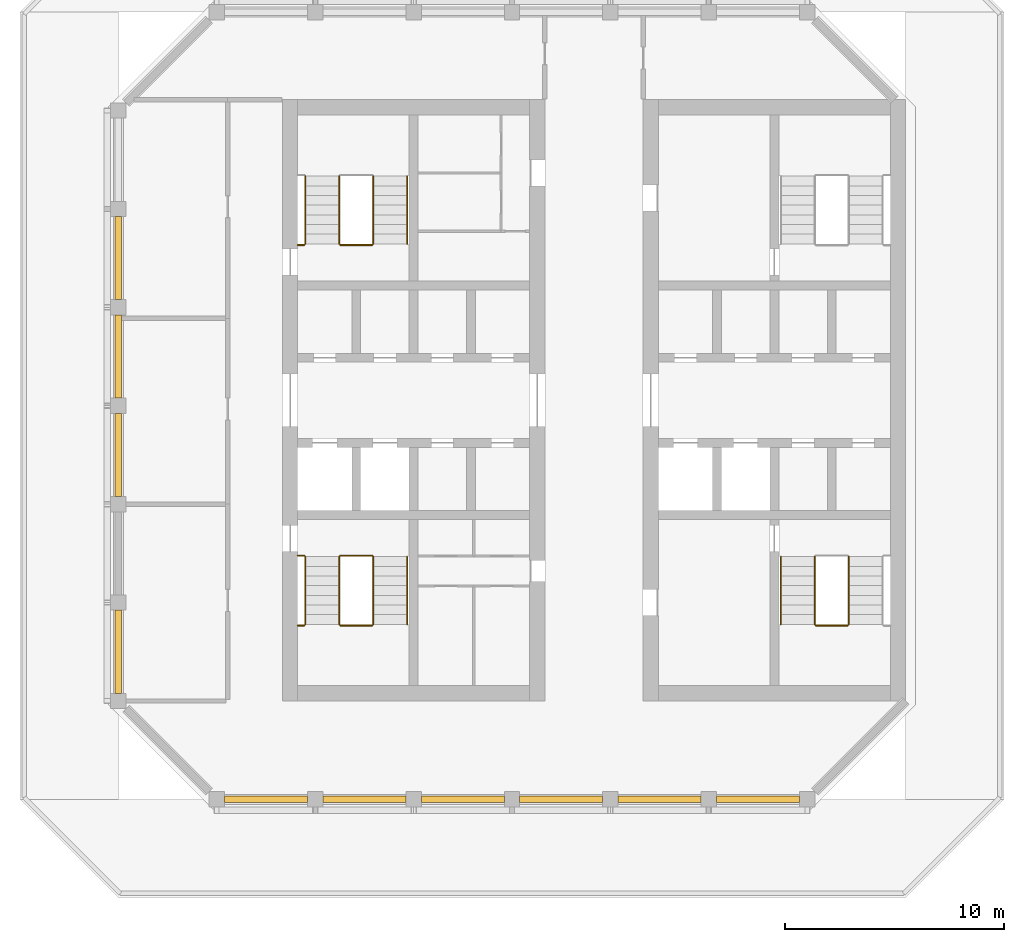
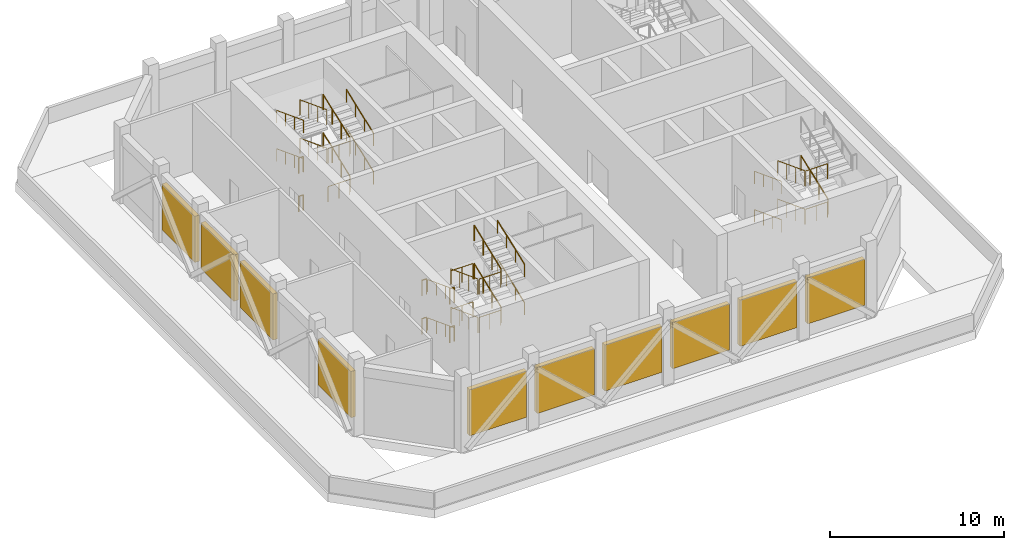
# One storey, part 7 of 8: 35 railings, 10 shading devices.
"""IFC4 building model written with IfcOpenShell, lengths in metres."""

from ifc_helpers import new_model, si_unit, direction, frame, origin, origin_2d, place, context, subcontext, project, spatial, rectangle, circle, extrude, material, layer, layer_set, type_object, element, save


model = new_model("IFC4")

# Units and contexts
model_context = context("Model", 3, precision=1e-05, world=origin(), true_north=direction((0.0, 1.0)))
body_context = subcontext(model_context, "Body", "Model", "MODEL_VIEW")
ifc_project = project(units=[si_unit("LENGTHUNIT", "METRE"), si_unit("AREAUNIT", "SQUARE_METRE"), si_unit("VOLUMEUNIT", "CUBIC_METRE"), si_unit("PLANEANGLEUNIT", "RADIAN"), si_unit("MASSUNIT", "GRAM", prefix="KILO")], contexts=[model_context])

# Site, building, storey
site_placement = place(None, origin())
site = spatial("IfcSite", under=ifc_project, at=site_placement, CompositionType="ELEMENT")
building_placement = place(site_placement, origin())
building = spatial("IfcBuilding", under=site, at=building_placement, Name="Corbel Stack Research Tower", CompositionType="ELEMENT")
storey_placement = place(building_placement, frame((0.0, 0.0, 301.0)))
storey = spatial("IfcBuildingStorey", under=building, at=storey_placement, Name="L68", CompositionType="ELEMENT", Elevation=301.0)

# Shading devices
ifc_material_1 = material(Name="Aluminium louvre", Category="aluminium")
ifc_layer = layer(ifc_material_1, 0.300048828125)
ifc_layer_set = layer_set([ifc_layer], Name="Aluminium louvre")
shading_device_type = type_object("IfcShadingDeviceType", Name="Plant louvre 300", PredefinedType="USERDEFINED", material=ifc_layer_set)
for number, where, z_axis, x_axis, name in (
    (1, (-11.25, -13.5, 0.85009765625), (0.0, 0.0, 1.0), (1.0, 0.0, 0.0), "Plant louvre L68-01"),
    (2, (-6.75, -13.5, 0.85009765625), (0.0, 0.0, 1.0), (1.0, 0.0, 0.0), "Plant louvre L68-02"),
    (3, (-2.25, -13.5, 0.85009765625), (0.0, 0.0, 1.0), (1.0, 0.0, 0.0), "Plant louvre L68-03"),
    (4, (2.25, -13.5, 0.85009765625), (0.0, 0.0, 1.0), (1.0, 0.0, 0.0), "Plant louvre L68-04"),
    (5, (6.75, -13.5, 0.85009765625), (0.0, 0.0, 1.0), (1.0, 0.0, 0.0), "Plant louvre L68-05"),
    (6, (11.25, -13.5, 0.85009765625), (0.0, 0.0, 1.0), (1.0, 0.0, 0.0), "Plant louvre L68-06"),
    (7, (-18.0, 11.25, 0.85009765625), (0.0, 0.0, 1.0), (0.0, -1.0, 0.0), "Plant louvre L68-17"),
    (8, (-18.0, 6.75, 0.85009765625), (0.0, 0.0, 1.0), (0.0, -1.0, 0.0), "Plant louvre L68-18"),
    (9, (-18.0, 2.25, 0.85009765625), (0.0, 0.0, 1.0), (0.0, -1.0, 0.0), "Plant louvre L68-19"),
    (10, (-18.0, -6.75, 0.85009765625), (0.0, 0.0, 1.0), (0.0, -1.0, 0.0), "Plant louvre L68-21"),
):
    element("IfcShadingDevice", number, at=place(storey_placement, frame(where, z_axis=z_axis, x_axis=x_axis)), inside=storey, type_object=shading_device_type, Name=name, ObjectType="LOUVRE", PredefinedType="USERDEFINED", context=body_context, shape_type="SweptSolid", body=[
        extrude(rectangle(XDim=3.800048828125, YDim=0.300048828125, at=origin_2d()), origin(), (0.0, 0.0, 1.0), 3.25),
    ])

# Railings
ifc_material_2 = material(Name="Steel S355", Category="steel")
railing_type_1 = type_object("IfcRailingType", Name="Stair guard 1100", PredefinedType="GUARDRAIL", material=ifc_material_2)
railing_1_placement = place(storey_placement, frame((-7.89990234375, -2.39990234375, 0.168701171875)))
element("IfcRailing", 11, at=railing_1_placement, inside=storey, type_object=railing_type_1, Name="L68 ST-W1 stair guard 1", PredefinedType="GUARDRAIL", context=body_context, shape_type="SweptSolid", body=[
    extrude(circle(Radius=0.02392578125, at=origin_2d()), frame((0.0, 0.0, 1.076171875), z_axis=(0.0, -0.934484238495, 0.356004505596), x_axis=(1.0, 0.0, 0.0)), (0.0, 0.0, 1.0), 3.318603515625),
    extrude(circle(Radius=0.02099609375, at=origin_2d()), origin(), (0.0, 0.0, 1.0), 1.052001953125),
    extrude(circle(Radius=0.02099609375, at=origin_2d()), frame((0.0, -1.03369140625, 0.393798828125)), (0.0, 0.0, 1.0), 1.052001953125),
    extrude(circle(Radius=0.02099609375, at=origin_2d()), frame((0.0, -2.0673828125, 0.78759765625)), (0.0, 0.0, 1.0), 1.052001953125),
    extrude(circle(Radius=0.02099609375, at=origin_2d()), frame((0.0, -3.10107421875, 1.181396484375)), (0.0, 0.0, 1.0), 1.052001953125),
])
railing_2_placement = place(storey_placement, frame((-7.85009765625, -5.551025390625, 1.35009765625)))
element("IfcRailing", 12, at=railing_2_placement, inside=storey, type_object=railing_type_1, Name="L68 ST-W1 stair guard 2", PredefinedType="GUARDRAIL", context=body_context, shape_type="SweptSolid", body=[
    extrude(circle(Radius=0.02392578125, at=origin_2d()), frame((0.0, 0.0, 1.076171875), z_axis=(1.0, 0.0, 0.0), x_axis=(0.0, 1.0, 0.0)), (0.0, 0.0, 1.0), 1.4501953125),
    extrude(circle(Radius=0.02099609375, at=origin_2d()), origin(), (0.0, 0.0, 1.0), 1.052001953125),
    extrude(circle(Radius=0.02099609375, at=origin_2d()), frame((0.72509765625, 0.0, 0.0)), (0.0, 0.0, 1.0), 1.052001953125),
    extrude(circle(Radius=0.02099609375, at=origin_2d()), frame((1.4501953125, 0.0, 0.0)), (0.0, 0.0, 1.0), 1.052001953125),
])
railing_3_placement = place(storey_placement, frame((-9.800048828125, -5.551025390625, 1.35009765625)))
element("IfcRailing", 13, at=railing_3_placement, inside=storey, type_object=railing_type_1, Name="L68 ST-W1 stair guard 3", PredefinedType="GUARDRAIL", context=body_context, shape_type="SweptSolid", body=[
    extrude(circle(Radius=0.02392578125, at=origin_2d()), frame((0.0, 0.0, 1.076171875), z_axis=(1.0, 0.0, 0.0), x_axis=(0.0, 1.0, 0.0)), (0.0, 0.0, 1.0), 0.300048828125),
    extrude(circle(Radius=0.02099609375, at=origin_2d()), origin(), (0.0, 0.0, 1.0), 1.052001953125),
    extrude(circle(Radius=0.02099609375, at=origin_2d()), frame((0.300048828125, 0.0, 0.0)), (0.0, 0.0, 1.0), 1.052001953125),
])
railing_4_placement = place(storey_placement, frame((-6.35009765625, -5.5009765625, 1.518798828125)))
element("IfcRailing", 14, at=railing_4_placement, inside=storey, type_object=railing_type_1, Name="L68 ST-W1 stair guard 4", PredefinedType="GUARDRAIL", context=body_context, shape_type="SweptSolid", body=[
    extrude(circle(Radius=0.02392578125, at=origin_2d()), frame((0.0, 0.0, 1.076171875), z_axis=(0.0, 0.934508712189, 0.355940257406), x_axis=(-1.0, 0.0, 0.0)), (0.0, 0.0, 1.0), 3.318359375),
    extrude(circle(Radius=0.02099609375, at=origin_2d()), origin(), (0.0, 0.0, 1.0), 1.052001953125),
    extrude(circle(Radius=0.02099609375, at=origin_2d()), frame((0.0, 1.03369140625, 0.393798828125)), (0.0, 0.0, 1.0), 1.052001953125),
    extrude(circle(Radius=0.02099609375, at=origin_2d()), frame((0.0, 2.0673828125, 0.787353515625)), (0.0, 0.0, 1.0), 1.052001953125),
    extrude(circle(Radius=0.02099609375, at=origin_2d()), frame((0.0, 3.10107421875, 1.18115234375)), (0.0, 0.0, 1.0), 1.052001953125),
])
railing_5_placement = place(storey_placement, frame((-7.85009765625, -2.35009765625, 2.699951171875)))
element("IfcRailing", 15, at=railing_5_placement, inside=storey, type_object=railing_type_1, Name="L68 ST-W1 stair guard 5", PredefinedType="GUARDRAIL", context=body_context, shape_type="SweptSolid", body=[
    extrude(circle(Radius=0.02392578125, at=origin_2d()), frame((0.0, 0.0, 1.076171875), z_axis=(1.0, 0.0, 0.0), x_axis=(0.0, 1.0, 0.0)), (0.0, 0.0, 1.0), 1.4501953125),
    extrude(circle(Radius=0.02099609375, at=origin_2d()), origin(), (0.0, 0.0, 1.0), 1.052001953125),
    extrude(circle(Radius=0.02099609375, at=origin_2d()), frame((0.72509765625, 0.0, 0.0)), (0.0, 0.0, 1.0), 1.052001953125),
    extrude(circle(Radius=0.02099609375, at=origin_2d()), frame((1.4501953125, 0.0, 0.0)), (0.0, 0.0, 1.0), 1.052001953125),
])
railing_6_placement = place(storey_placement, frame((-9.800048828125, -2.35009765625, 2.699951171875)))
element("IfcRailing", 16, at=railing_6_placement, inside=storey, type_object=railing_type_1, Name="L68 ST-W1 stair guard 6", PredefinedType="GUARDRAIL", context=body_context, shape_type="SweptSolid", body=[
    extrude(circle(Radius=0.02392578125, at=origin_2d()), frame((0.0, 0.0, 1.076171875), z_axis=(1.0, 0.0, 0.0), x_axis=(0.0, 1.0, 0.0)), (0.0, 0.0, 1.0), 0.300048828125),
    extrude(circle(Radius=0.02099609375, at=origin_2d()), origin(), (0.0, 0.0, 1.0), 1.052001953125),
    extrude(circle(Radius=0.02099609375, at=origin_2d()), frame((0.300048828125, 0.0, 0.0)), (0.0, 0.0, 1.0), 1.052001953125),
])
railing_7_placement = place(storey_placement, frame((-7.89990234375, -2.39990234375, 2.86865234375)))
element("IfcRailing", 17, at=railing_7_placement, inside=storey, type_object=railing_type_1, Name="L68 ST-W1 stair guard 7", PredefinedType="GUARDRAIL", context=body_context, shape_type="SweptSolid", body=[
    extrude(circle(Radius=0.02392578125, at=origin_2d()), frame((0.0, 0.0, 1.076171875), z_axis=(0.0, -0.934484238495, 0.356004505596), x_axis=(1.0, 0.0, 0.0)), (0.0, 0.0, 1.0), 3.318603515625),
    extrude(circle(Radius=0.02099609375, at=origin_2d()), origin(), (0.0, 0.0, 1.0), 1.052001953125),
    extrude(circle(Radius=0.02099609375, at=origin_2d()), frame((0.0, -1.03369140625, 0.393798828125)), (0.0, 0.0, 1.0), 1.052001953125),
    extrude(circle(Radius=0.02099609375, at=origin_2d()), frame((0.0, -2.0673828125, 0.78759765625)), (0.0, 0.0, 1.0), 1.052001953125),
    extrude(circle(Radius=0.02099609375, at=origin_2d()), frame((0.0, -3.10107421875, 1.181396484375)), (0.0, 0.0, 1.0), 1.052001953125),
])
railing_8_placement = place(storey_placement, frame((-7.85009765625, -5.551025390625, 4.050048828125)))
element("IfcRailing", 18, at=railing_8_placement, inside=storey, type_object=railing_type_1, Name="L68 ST-W1 stair guard 8", PredefinedType="GUARDRAIL", context=body_context, shape_type="SweptSolid", body=[
    extrude(circle(Radius=0.02392578125, at=origin_2d()), frame((0.0, 0.0, 1.076171875), z_axis=(1.0, 0.0, 0.0), x_axis=(0.0, 1.0, 0.0)), (0.0, 0.0, 1.0), 1.4501953125),
    extrude(circle(Radius=0.02099609375, at=origin_2d()), origin(), (0.0, 0.0, 1.0), 1.052001953125),
    extrude(circle(Radius=0.02099609375, at=origin_2d()), frame((0.72509765625, 0.0, 0.0)), (0.0, 0.0, 1.0), 1.052001953125),
    extrude(circle(Radius=0.02099609375, at=origin_2d()), frame((1.4501953125, 0.0, 0.0)), (0.0, 0.0, 1.0), 1.052001953125),
])
railing_9_placement = place(storey_placement, frame((-9.800048828125, -5.551025390625, 4.050048828125)))
element("IfcRailing", 19, at=railing_9_placement, inside=storey, type_object=railing_type_1, Name="L68 ST-W1 stair guard 9", PredefinedType="GUARDRAIL", context=body_context, shape_type="SweptSolid", body=[
    extrude(circle(Radius=0.02392578125, at=origin_2d()), frame((0.0, 0.0, 1.076171875), z_axis=(1.0, 0.0, 0.0), x_axis=(0.0, 1.0, 0.0)), (0.0, 0.0, 1.0), 0.300048828125),
    extrude(circle(Radius=0.02099609375, at=origin_2d()), origin(), (0.0, 0.0, 1.0), 1.052001953125),
    extrude(circle(Radius=0.02099609375, at=origin_2d()), frame((0.300048828125, 0.0, 0.0)), (0.0, 0.0, 1.0), 1.052001953125),
])
railing_10_placement = place(storey_placement, frame((-6.35009765625, -5.5009765625, 4.21875)))
element("IfcRailing", 20, at=railing_10_placement, inside=storey, type_object=railing_type_1, Name="L68 ST-W1 stair guard 10", PredefinedType="GUARDRAIL", context=body_context, shape_type="SweptSolid", body=[
    extrude(circle(Radius=0.02392578125, at=origin_2d()), frame((0.0, 0.0, 1.076171875), z_axis=(0.0, 0.934508712189, 0.355940257406), x_axis=(-1.0, 0.0, 0.0)), (0.0, 0.0, 1.0), 3.318359375),
    extrude(circle(Radius=0.02099609375, at=origin_2d()), origin(), (0.0, 0.0, 1.0), 1.052001953125),
    extrude(circle(Radius=0.02099609375, at=origin_2d()), frame((0.0, 1.03369140625, 0.393798828125)), (0.0, 0.0, 1.0), 1.052001953125),
    extrude(circle(Radius=0.02099609375, at=origin_2d()), frame((0.0, 2.0673828125, 0.787353515625)), (0.0, 0.0, 1.0), 1.052001953125),
    extrude(circle(Radius=0.02099609375, at=origin_2d()), frame((0.0, 3.10107421875, 1.18115234375)), (0.0, 0.0, 1.0), 1.052001953125),
])
railing_11_placement = place(storey_placement, frame((-7.85009765625, -2.35009765625, 0.0)))
element("IfcRailing", 21, at=railing_11_placement, inside=storey, type_object=railing_type_1, Name="L68 ST-W1 stair guard 11", PredefinedType="GUARDRAIL", context=body_context, shape_type="SweptSolid", body=[
    extrude(circle(Radius=0.02392578125, at=origin_2d()), frame((0.0, 0.0, 1.076171875), z_axis=(1.0, 0.0, 0.0), x_axis=(0.0, 1.0, 0.0)), (0.0, 0.0, 1.0), 1.4501953125),
    extrude(circle(Radius=0.02099609375, at=origin_2d()), origin(), (0.0, 0.0, 1.0), 1.052001953125),
    extrude(circle(Radius=0.02099609375, at=origin_2d()), frame((0.72509765625, 0.0, 0.0)), (0.0, 0.0, 1.0), 1.052001953125),
    extrude(circle(Radius=0.02099609375, at=origin_2d()), frame((1.4501953125, 0.0, 0.0)), (0.0, 0.0, 1.0), 1.052001953125),
])
railing_12_placement = place(storey_placement, frame((-9.800048828125, -2.35009765625, 0.0)))
element("IfcRailing", 22, at=railing_12_placement, inside=storey, type_object=railing_type_1, Name="L68 ST-W1 stair guard 12", PredefinedType="GUARDRAIL", context=body_context, shape_type="SweptSolid", body=[
    extrude(circle(Radius=0.02392578125, at=origin_2d()), frame((0.0, 0.0, 1.076171875), z_axis=(1.0, 0.0, 0.0), x_axis=(0.0, 1.0, 0.0)), (0.0, 0.0, 1.0), 0.300048828125),
    extrude(circle(Radius=0.02099609375, at=origin_2d()), origin(), (0.0, 0.0, 1.0), 1.052001953125),
    extrude(circle(Radius=0.02099609375, at=origin_2d()), frame((0.300048828125, 0.0, 0.0)), (0.0, 0.0, 1.0), 1.052001953125),
])
railing_13_placement = place(storey_placement, frame((-6.35009765625, 11.89990234375, 0.168701171875)))
element("IfcRailing", 23, at=railing_13_placement, inside=storey, type_object=railing_type_1, Name="L68 ST-W2 stair guard 1", PredefinedType="GUARDRAIL", context=body_context, shape_type="SweptSolid", body=[
    extrude(circle(Radius=0.02392578125, at=origin_2d()), frame((0.0, 0.0, 1.076171875), z_axis=(0.0, 0.934484238495, 0.356004505596), x_axis=(-1.0, 0.0, 0.0)), (0.0, 0.0, 1.0), 3.318603515625),
    extrude(circle(Radius=0.02099609375, at=origin_2d()), origin(), (0.0, 0.0, 1.0), 1.052001953125),
    extrude(circle(Radius=0.02099609375, at=origin_2d()), frame((0.0, 1.03369140625, 0.393798828125)), (0.0, 0.0, 1.0), 1.052001953125),
    extrude(circle(Radius=0.02099609375, at=origin_2d()), frame((0.0, 2.0673828125, 0.78759765625)), (0.0, 0.0, 1.0), 1.052001953125),
    extrude(circle(Radius=0.02099609375, at=origin_2d()), frame((0.0, 3.10107421875, 1.181396484375)), (0.0, 0.0, 1.0), 1.052001953125),
])
railing_14_placement = place(storey_placement, frame((-7.89990234375, 15.0009765625, 1.518798828125)))
element("IfcRailing", 24, at=railing_14_placement, inside=storey, type_object=railing_type_1, Name="L68 ST-W2 stair guard 4", PredefinedType="GUARDRAIL", context=body_context, shape_type="SweptSolid", body=[
    extrude(circle(Radius=0.02392578125, at=origin_2d()), frame((0.0, 0.0, 1.076171875), z_axis=(0.0, -0.934508712189, 0.355940257406), x_axis=(1.0, 0.0, 0.0)), (0.0, 0.0, 1.0), 3.318359375),
    extrude(circle(Radius=0.02099609375, at=origin_2d()), origin(), (0.0, 0.0, 1.0), 1.052001953125),
    extrude(circle(Radius=0.02099609375, at=origin_2d()), frame((0.0, -1.03369140625, 0.393798828125)), (0.0, 0.0, 1.0), 1.052001953125),
    extrude(circle(Radius=0.02099609375, at=origin_2d()), frame((0.0, -2.0673828125, 0.787353515625)), (0.0, 0.0, 1.0), 1.052001953125),
    extrude(circle(Radius=0.02099609375, at=origin_2d()), frame((0.0, -3.10107421875, 1.18115234375)), (0.0, 0.0, 1.0), 1.052001953125),
])
railing_15_placement = place(storey_placement, frame((-6.39990234375, 11.85009765625, 2.699951171875)))
element("IfcRailing", 25, at=railing_15_placement, inside=storey, type_object=railing_type_1, Name="L68 ST-W2 stair guard 5", PredefinedType="GUARDRAIL", context=body_context, shape_type="SweptSolid", body=[
    extrude(circle(Radius=0.02392578125, at=origin_2d()), frame((0.0, 0.0, 1.076171875), z_axis=(-1.0, 0.0, 0.0), x_axis=(0.0, -1.0, 0.0)), (0.0, 0.0, 1.0), 1.4501953125),
    extrude(circle(Radius=0.02099609375, at=origin_2d()), origin(), (0.0, 0.0, 1.0), 1.052001953125),
    extrude(circle(Radius=0.02099609375, at=origin_2d()), frame((-0.72509765625, 0.0, 0.0)), (0.0, 0.0, 1.0), 1.052001953125),
    extrude(circle(Radius=0.02099609375, at=origin_2d()), frame((-1.4501953125, 0.0, 0.0)), (0.0, 0.0, 1.0), 1.052001953125),
])
railing_16_placement = place(storey_placement, frame((-9.5, 11.85009765625, 2.699951171875)))
element("IfcRailing", 26, at=railing_16_placement, inside=storey, type_object=railing_type_1, Name="L68 ST-W2 stair guard 6", PredefinedType="GUARDRAIL", context=body_context, shape_type="SweptSolid", body=[
    extrude(circle(Radius=0.02392578125, at=origin_2d()), frame((0.0, 0.0, 1.076171875), z_axis=(-1.0, 0.0, 0.0), x_axis=(0.0, -1.0, 0.0)), (0.0, 0.0, 1.0), 0.300048828125),
    extrude(circle(Radius=0.02099609375, at=origin_2d()), origin(), (0.0, 0.0, 1.0), 1.052001953125),
    extrude(circle(Radius=0.02099609375, at=origin_2d()), frame((-0.300048828125, 0.0, 0.0)), (0.0, 0.0, 1.0), 1.052001953125),
])
railing_17_placement = place(storey_placement, frame((-6.35009765625, 11.89990234375, 2.86865234375)))
element("IfcRailing", 27, at=railing_17_placement, inside=storey, type_object=railing_type_1, Name="L68 ST-W2 stair guard 7", PredefinedType="GUARDRAIL", context=body_context, shape_type="SweptSolid", body=[
    extrude(circle(Radius=0.02392578125, at=origin_2d()), frame((0.0, 0.0, 1.076171875), z_axis=(0.0, 0.934484238495, 0.356004505596), x_axis=(-1.0, 0.0, 0.0)), (0.0, 0.0, 1.0), 3.318603515625),
    extrude(circle(Radius=0.02099609375, at=origin_2d()), origin(), (0.0, 0.0, 1.0), 1.052001953125),
    extrude(circle(Radius=0.02099609375, at=origin_2d()), frame((0.0, 1.03369140625, 0.393798828125)), (0.0, 0.0, 1.0), 1.052001953125),
    extrude(circle(Radius=0.02099609375, at=origin_2d()), frame((0.0, 2.0673828125, 0.78759765625)), (0.0, 0.0, 1.0), 1.052001953125),
    extrude(circle(Radius=0.02099609375, at=origin_2d()), frame((0.0, 3.10107421875, 1.181396484375)), (0.0, 0.0, 1.0), 1.052001953125),
])
railing_18_placement = place(storey_placement, frame((-7.89990234375, 15.0009765625, 4.21875)))
element("IfcRailing", 28, at=railing_18_placement, inside=storey, type_object=railing_type_1, Name="L68 ST-W2 stair guard 10", PredefinedType="GUARDRAIL", context=body_context, shape_type="SweptSolid", body=[
    extrude(circle(Radius=0.02392578125, at=origin_2d()), frame((0.0, 0.0, 1.076171875), z_axis=(0.0, -0.934508712189, 0.355940257406), x_axis=(1.0, 0.0, 0.0)), (0.0, 0.0, 1.0), 3.318359375),
    extrude(circle(Radius=0.02099609375, at=origin_2d()), origin(), (0.0, 0.0, 1.0), 1.052001953125),
    extrude(circle(Radius=0.02099609375, at=origin_2d()), frame((0.0, -1.03369140625, 0.393798828125)), (0.0, 0.0, 1.0), 1.052001953125),
    extrude(circle(Radius=0.02099609375, at=origin_2d()), frame((0.0, -2.0673828125, 0.787353515625)), (0.0, 0.0, 1.0), 1.052001953125),
    extrude(circle(Radius=0.02099609375, at=origin_2d()), frame((0.0, -3.10107421875, 1.18115234375)), (0.0, 0.0, 1.0), 1.052001953125),
])
railing_19_placement = place(storey_placement, frame((-6.39990234375, 11.85009765625, 0.0)))
element("IfcRailing", 29, at=railing_19_placement, inside=storey, type_object=railing_type_1, Name="L68 ST-W2 stair guard 11", PredefinedType="GUARDRAIL", context=body_context, shape_type="SweptSolid", body=[
    extrude(circle(Radius=0.02392578125, at=origin_2d()), frame((0.0, 0.0, 1.076171875), z_axis=(-1.0, 0.0, 0.0), x_axis=(0.0, -1.0, 0.0)), (0.0, 0.0, 1.0), 1.4501953125),
    extrude(circle(Radius=0.02099609375, at=origin_2d()), origin(), (0.0, 0.0, 1.0), 1.052001953125),
    extrude(circle(Radius=0.02099609375, at=origin_2d()), frame((-0.72509765625, 0.0, 0.0)), (0.0, 0.0, 1.0), 1.052001953125),
    extrude(circle(Radius=0.02099609375, at=origin_2d()), frame((-1.4501953125, 0.0, 0.0)), (0.0, 0.0, 1.0), 1.052001953125),
])
railing_20_placement = place(storey_placement, frame((-9.5, 11.85009765625, 0.0)))
element("IfcRailing", 30, at=railing_20_placement, inside=storey, type_object=railing_type_1, Name="L68 ST-W2 stair guard 12", PredefinedType="GUARDRAIL", context=body_context, shape_type="SweptSolid", body=[
    extrude(circle(Radius=0.02392578125, at=origin_2d()), frame((0.0, 0.0, 1.076171875), z_axis=(-1.0, 0.0, 0.0), x_axis=(0.0, -1.0, 0.0)), (0.0, 0.0, 1.0), 0.300048828125),
    extrude(circle(Radius=0.02099609375, at=origin_2d()), origin(), (0.0, 0.0, 1.0), 1.052001953125),
    extrude(circle(Radius=0.02099609375, at=origin_2d()), frame((-0.300048828125, 0.0, 0.0)), (0.0, 0.0, 1.0), 1.052001953125),
])
railing_21_placement = place(storey_placement, frame((13.85009765625, -2.39990234375, 0.168701171875)))
element("IfcRailing", 31, at=railing_21_placement, inside=storey, type_object=railing_type_1, Name="L68 ST-E1 stair guard 1", PredefinedType="GUARDRAIL", context=body_context, shape_type="SweptSolid", body=[
    extrude(circle(Radius=0.02392578125, at=origin_2d()), frame((0.0, 0.0, 1.076171875), z_axis=(0.0, -0.934484238495, 0.356004505596), x_axis=(1.0, 0.0, 0.0)), (0.0, 0.0, 1.0), 3.318603515625),
    extrude(circle(Radius=0.02099609375, at=origin_2d()), origin(), (0.0, 0.0, 1.0), 1.052001953125),
    extrude(circle(Radius=0.02099609375, at=origin_2d()), frame((0.0, -1.03369140625, 0.393798828125)), (0.0, 0.0, 1.0), 1.052001953125),
    extrude(circle(Radius=0.02099609375, at=origin_2d()), frame((0.0, -2.0673828125, 0.78759765625)), (0.0, 0.0, 1.0), 1.052001953125),
    extrude(circle(Radius=0.02099609375, at=origin_2d()), frame((0.0, -3.10107421875, 1.181396484375)), (0.0, 0.0, 1.0), 1.052001953125),
])
railing_22_placement = place(storey_placement, frame((13.89990234375, -5.551025390625, 1.35009765625)))
element("IfcRailing", 32, at=railing_22_placement, inside=storey, type_object=railing_type_1, Name="L68 ST-E1 stair guard 2", PredefinedType="GUARDRAIL", context=body_context, shape_type="SweptSolid", body=[
    extrude(circle(Radius=0.02392578125, at=origin_2d()), frame((0.0, 0.0, 1.076171875), z_axis=(1.0, 0.0, 0.0), x_axis=(0.0, 1.0, 0.0)), (0.0, 0.0, 1.0), 1.4501953125),
    extrude(circle(Radius=0.02099609375, at=origin_2d()), origin(), (0.0, 0.0, 1.0), 1.052001953125),
    extrude(circle(Radius=0.02099609375, at=origin_2d()), frame((0.72509765625, 0.0, 0.0)), (0.0, 0.0, 1.0), 1.052001953125),
    extrude(circle(Radius=0.02099609375, at=origin_2d()), frame((1.4501953125, 0.0, 0.0)), (0.0, 0.0, 1.0), 1.052001953125),
])
railing_23_placement = place(storey_placement, frame((15.39990234375, -5.5009765625, 1.518798828125)))
element("IfcRailing", 33, at=railing_23_placement, inside=storey, type_object=railing_type_1, Name="L68 ST-E1 stair guard 4", PredefinedType="GUARDRAIL", context=body_context, shape_type="SweptSolid", body=[
    extrude(circle(Radius=0.02392578125, at=origin_2d()), frame((0.0, 0.0, 1.076171875), z_axis=(0.0, 0.934508712189, 0.355940257406), x_axis=(-1.0, 0.0, 0.0)), (0.0, 0.0, 1.0), 3.318359375),
    extrude(circle(Radius=0.02099609375, at=origin_2d()), origin(), (0.0, 0.0, 1.0), 1.052001953125),
    extrude(circle(Radius=0.02099609375, at=origin_2d()), frame((0.0, 1.03369140625, 0.393798828125)), (0.0, 0.0, 1.0), 1.052001953125),
    extrude(circle(Radius=0.02099609375, at=origin_2d()), frame((0.0, 2.0673828125, 0.787353515625)), (0.0, 0.0, 1.0), 1.052001953125),
    extrude(circle(Radius=0.02099609375, at=origin_2d()), frame((0.0, 3.10107421875, 1.18115234375)), (0.0, 0.0, 1.0), 1.052001953125),
])
railing_24_placement = place(storey_placement, frame((13.85009765625, -2.39990234375, 2.86865234375)))
element("IfcRailing", 34, at=railing_24_placement, inside=storey, type_object=railing_type_1, Name="L68 ST-E1 stair guard 7", PredefinedType="GUARDRAIL", context=body_context, shape_type="SweptSolid", body=[
    extrude(circle(Radius=0.02392578125, at=origin_2d()), frame((0.0, 0.0, 1.076171875), z_axis=(0.0, -0.934484238495, 0.356004505596), x_axis=(1.0, 0.0, 0.0)), (0.0, 0.0, 1.0), 3.318603515625),
    extrude(circle(Radius=0.02099609375, at=origin_2d()), origin(), (0.0, 0.0, 1.0), 1.052001953125),
    extrude(circle(Radius=0.02099609375, at=origin_2d()), frame((0.0, -1.03369140625, 0.393798828125)), (0.0, 0.0, 1.0), 1.052001953125),
    extrude(circle(Radius=0.02099609375, at=origin_2d()), frame((0.0, -2.0673828125, 0.78759765625)), (0.0, 0.0, 1.0), 1.052001953125),
    extrude(circle(Radius=0.02099609375, at=origin_2d()), frame((0.0, -3.10107421875, 1.181396484375)), (0.0, 0.0, 1.0), 1.052001953125),
])
railing_25_placement = place(storey_placement, frame((13.89990234375, -5.551025390625, 4.050048828125)))
element("IfcRailing", 35, at=railing_25_placement, inside=storey, type_object=railing_type_1, Name="L68 ST-E1 stair guard 8", PredefinedType="GUARDRAIL", context=body_context, shape_type="SweptSolid", body=[
    extrude(circle(Radius=0.02392578125, at=origin_2d()), frame((0.0, 0.0, 1.076171875), z_axis=(1.0, 0.0, 0.0), x_axis=(0.0, 1.0, 0.0)), (0.0, 0.0, 1.0), 1.4501953125),
    extrude(circle(Radius=0.02099609375, at=origin_2d()), origin(), (0.0, 0.0, 1.0), 1.052001953125),
    extrude(circle(Radius=0.02099609375, at=origin_2d()), frame((0.72509765625, 0.0, 0.0)), (0.0, 0.0, 1.0), 1.052001953125),
    extrude(circle(Radius=0.02099609375, at=origin_2d()), frame((1.4501953125, 0.0, 0.0)), (0.0, 0.0, 1.0), 1.052001953125),
])
ifc_material_3 = material(Name="Steel S355", Category="steel")
railing_type_2 = type_object("IfcRailingType", Name="Stair handrail 900", PredefinedType="HANDRAIL", material=ifc_material_3)
railing_26_placement = place(storey_placement, frame((-9.449951171875, -2.39990234375, 0.168701171875)))
element("IfcRailing", 36, at=railing_26_placement, inside=storey, type_object=railing_type_2, Name="L68 ST-W1 stair handrail 1", PredefinedType="HANDRAIL", context=body_context, shape_type="SweptSolid", body=[
    extrude(circle(Radius=0.02392578125, at=origin_2d()), frame((0.0, 0.0, 0.8759765625), z_axis=(0.0, -0.934484238495, 0.356004505596), x_axis=(1.0, 0.0, 0.0)), (0.0, 0.0, 1.0), 3.318603515625),
    extrude(circle(Radius=0.02099609375, at=origin_2d()), origin(), (0.0, 0.0, 1.0), 0.851806640625),
    extrude(circle(Radius=0.02099609375, at=origin_2d()), frame((0.0, -1.03369140625, 0.393798828125)), (0.0, 0.0, 1.0), 0.851806640625),
    extrude(circle(Radius=0.02099609375, at=origin_2d()), frame((0.0, -2.0673828125, 0.78759765625)), (0.0, 0.0, 1.0), 0.851806640625),
    extrude(circle(Radius=0.02099609375, at=origin_2d()), frame((0.0, -3.10107421875, 1.181396484375)), (0.0, 0.0, 1.0), 0.851806640625),
])
railing_27_placement = place(storey_placement, frame((-4.800048828125, -5.5009765625, 1.518798828125)))
element("IfcRailing", 37, at=railing_27_placement, inside=storey, type_object=railing_type_2, Name="L68 ST-W1 stair handrail 2", PredefinedType="HANDRAIL", context=body_context, shape_type="SweptSolid", body=[
    extrude(circle(Radius=0.02392578125, at=origin_2d()), frame((0.0, 0.0, 0.8759765625), z_axis=(0.0, 0.934508712189, 0.355940257406), x_axis=(-1.0, 0.0, 0.0)), (0.0, 0.0, 1.0), 3.318359375),
    extrude(circle(Radius=0.02099609375, at=origin_2d()), origin(), (0.0, 0.0, 1.0), 0.851806640625),
    extrude(circle(Radius=0.02099609375, at=origin_2d()), frame((0.0, 1.03369140625, 0.393798828125)), (0.0, 0.0, 1.0), 0.851806640625),
    extrude(circle(Radius=0.02099609375, at=origin_2d()), frame((0.0, 2.0673828125, 0.787353515625)), (0.0, 0.0, 1.0), 0.851806640625),
    extrude(circle(Radius=0.02099609375, at=origin_2d()), frame((0.0, 3.10107421875, 1.18115234375)), (0.0, 0.0, 1.0), 0.851806640625),
])
railing_28_placement = place(storey_placement, frame((-9.449951171875, -2.39990234375, 2.86865234375)))
element("IfcRailing", 38, at=railing_28_placement, inside=storey, type_object=railing_type_2, Name="L68 ST-W1 stair handrail 3", PredefinedType="HANDRAIL", context=body_context, shape_type="SweptSolid", body=[
    extrude(circle(Radius=0.02392578125, at=origin_2d()), frame((0.0, 0.0, 0.8759765625), z_axis=(0.0, -0.934484238495, 0.356004505596), x_axis=(1.0, 0.0, 0.0)), (0.0, 0.0, 1.0), 3.318603515625),
    extrude(circle(Radius=0.02099609375, at=origin_2d()), origin(), (0.0, 0.0, 1.0), 0.851806640625),
    extrude(circle(Radius=0.02099609375, at=origin_2d()), frame((0.0, -1.03369140625, 0.393798828125)), (0.0, 0.0, 1.0), 0.851806640625),
    extrude(circle(Radius=0.02099609375, at=origin_2d()), frame((0.0, -2.0673828125, 0.78759765625)), (0.0, 0.0, 1.0), 0.851806640625),
    extrude(circle(Radius=0.02099609375, at=origin_2d()), frame((0.0, -3.10107421875, 1.181396484375)), (0.0, 0.0, 1.0), 0.851806640625),
])
railing_29_placement = place(storey_placement, frame((-4.800048828125, -5.5009765625, 4.21875)))
element("IfcRailing", 39, at=railing_29_placement, inside=storey, type_object=railing_type_2, Name="L68 ST-W1 stair handrail 4", PredefinedType="HANDRAIL", context=body_context, shape_type="SweptSolid", body=[
    extrude(circle(Radius=0.02392578125, at=origin_2d()), frame((0.0, 0.0, 0.8759765625), z_axis=(0.0, 0.934508712189, 0.355940257406), x_axis=(-1.0, 0.0, 0.0)), (0.0, 0.0, 1.0), 3.318359375),
    extrude(circle(Radius=0.02099609375, at=origin_2d()), origin(), (0.0, 0.0, 1.0), 0.851806640625),
    extrude(circle(Radius=0.02099609375, at=origin_2d()), frame((0.0, 1.03369140625, 0.393798828125)), (0.0, 0.0, 1.0), 0.851806640625),
    extrude(circle(Radius=0.02099609375, at=origin_2d()), frame((0.0, 2.0673828125, 0.787353515625)), (0.0, 0.0, 1.0), 0.851806640625),
    extrude(circle(Radius=0.02099609375, at=origin_2d()), frame((0.0, 3.10107421875, 1.18115234375)), (0.0, 0.0, 1.0), 0.851806640625),
])
railing_30_placement = place(storey_placement, frame((-4.800048828125, 11.89990234375, 0.168701171875)))
element("IfcRailing", 40, at=railing_30_placement, inside=storey, type_object=railing_type_2, Name="L68 ST-W2 stair handrail 1", PredefinedType="HANDRAIL", context=body_context, shape_type="SweptSolid", body=[
    extrude(circle(Radius=0.02392578125, at=origin_2d()), frame((0.0, 0.0, 0.8759765625), z_axis=(0.0, 0.934484238495, 0.356004505596), x_axis=(-1.0, 0.0, 0.0)), (0.0, 0.0, 1.0), 3.318603515625),
    extrude(circle(Radius=0.02099609375, at=origin_2d()), origin(), (0.0, 0.0, 1.0), 0.851806640625),
    extrude(circle(Radius=0.02099609375, at=origin_2d()), frame((0.0, 1.03369140625, 0.393798828125)), (0.0, 0.0, 1.0), 0.851806640625),
    extrude(circle(Radius=0.02099609375, at=origin_2d()), frame((0.0, 2.0673828125, 0.78759765625)), (0.0, 0.0, 1.0), 0.851806640625),
    extrude(circle(Radius=0.02099609375, at=origin_2d()), frame((0.0, 3.10107421875, 1.181396484375)), (0.0, 0.0, 1.0), 0.851806640625),
])
railing_31_placement = place(storey_placement, frame((-9.449951171875, 15.0009765625, 1.518798828125)))
element("IfcRailing", 41, at=railing_31_placement, inside=storey, type_object=railing_type_2, Name="L68 ST-W2 stair handrail 2", PredefinedType="HANDRAIL", context=body_context, shape_type="SweptSolid", body=[
    extrude(circle(Radius=0.02392578125, at=origin_2d()), frame((0.0, 0.0, 0.8759765625), z_axis=(0.0, -0.934508712189, 0.355940257406), x_axis=(1.0, 0.0, 0.0)), (0.0, 0.0, 1.0), 3.318359375),
    extrude(circle(Radius=0.02099609375, at=origin_2d()), origin(), (0.0, 0.0, 1.0), 0.851806640625),
    extrude(circle(Radius=0.02099609375, at=origin_2d()), frame((0.0, -1.03369140625, 0.393798828125)), (0.0, 0.0, 1.0), 0.851806640625),
    extrude(circle(Radius=0.02099609375, at=origin_2d()), frame((0.0, -2.0673828125, 0.787353515625)), (0.0, 0.0, 1.0), 0.851806640625),
    extrude(circle(Radius=0.02099609375, at=origin_2d()), frame((0.0, -3.10107421875, 1.18115234375)), (0.0, 0.0, 1.0), 0.851806640625),
])
railing_32_placement = place(storey_placement, frame((-4.800048828125, 11.89990234375, 2.86865234375)))
element("IfcRailing", 42, at=railing_32_placement, inside=storey, type_object=railing_type_2, Name="L68 ST-W2 stair handrail 3", PredefinedType="HANDRAIL", context=body_context, shape_type="SweptSolid", body=[
    extrude(circle(Radius=0.02392578125, at=origin_2d()), frame((0.0, 0.0, 0.8759765625), z_axis=(0.0, 0.934484238495, 0.356004505596), x_axis=(-1.0, 0.0, 0.0)), (0.0, 0.0, 1.0), 3.318603515625),
    extrude(circle(Radius=0.02099609375, at=origin_2d()), origin(), (0.0, 0.0, 1.0), 0.851806640625),
    extrude(circle(Radius=0.02099609375, at=origin_2d()), frame((0.0, 1.03369140625, 0.393798828125)), (0.0, 0.0, 1.0), 0.851806640625),
    extrude(circle(Radius=0.02099609375, at=origin_2d()), frame((0.0, 2.0673828125, 0.78759765625)), (0.0, 0.0, 1.0), 0.851806640625),
    extrude(circle(Radius=0.02099609375, at=origin_2d()), frame((0.0, 3.10107421875, 1.181396484375)), (0.0, 0.0, 1.0), 0.851806640625),
])
railing_33_placement = place(storey_placement, frame((-9.449951171875, 15.0009765625, 4.21875)))
element("IfcRailing", 43, at=railing_33_placement, inside=storey, type_object=railing_type_2, Name="L68 ST-W2 stair handrail 4", PredefinedType="HANDRAIL", context=body_context, shape_type="SweptSolid", body=[
    extrude(circle(Radius=0.02392578125, at=origin_2d()), frame((0.0, 0.0, 0.8759765625), z_axis=(0.0, -0.934508712189, 0.355940257406), x_axis=(1.0, 0.0, 0.0)), (0.0, 0.0, 1.0), 3.318359375),
    extrude(circle(Radius=0.02099609375, at=origin_2d()), origin(), (0.0, 0.0, 1.0), 0.851806640625),
    extrude(circle(Radius=0.02099609375, at=origin_2d()), frame((0.0, -1.03369140625, 0.393798828125)), (0.0, 0.0, 1.0), 0.851806640625),
    extrude(circle(Radius=0.02099609375, at=origin_2d()), frame((0.0, -2.0673828125, 0.787353515625)), (0.0, 0.0, 1.0), 0.851806640625),
    extrude(circle(Radius=0.02099609375, at=origin_2d()), frame((0.0, -3.10107421875, 1.18115234375)), (0.0, 0.0, 1.0), 0.851806640625),
])
for number, where, name in (
    (44, (12.300048828125, -2.39990234375, 0.168701171875), "L68 ST-E1 stair handrail 1"),
    (45, (12.300048828125, -2.39990234375, 2.86865234375), "L68 ST-E1 stair handrail 3"),
):
    element("IfcRailing", number, at=place(storey_placement, frame(where)), inside=storey, type_object=railing_type_2, Name=name, PredefinedType="HANDRAIL", context=body_context, shape_type="SweptSolid", body=[
        extrude(circle(Radius=0.02392578125, at=origin_2d()), frame((0.0, 0.0, 0.8759765625), z_axis=(0.0, -0.934484238495, 0.356004505596), x_axis=(1.0, 0.0, 0.0)), (0.0, 0.0, 1.0), 3.318603515625),
        extrude(circle(Radius=0.02099609375, at=origin_2d()), origin(), (0.0, 0.0, 1.0), 0.851806640625),
        extrude(circle(Radius=0.02099609375, at=origin_2d()), frame((0.0, -1.03369140625, 0.393798828125)), (0.0, 0.0, 1.0), 0.851806640625),
        extrude(circle(Radius=0.02099609375, at=origin_2d()), frame((0.0, -2.0673828125, 0.78759765625)), (0.0, 0.0, 1.0), 0.851806640625),
        extrude(circle(Radius=0.02099609375, at=origin_2d()), frame((0.0, -3.10107421875, 1.181396484375)), (0.0, 0.0, 1.0), 0.851806640625),
    ])

save(model, "model.ifc")
